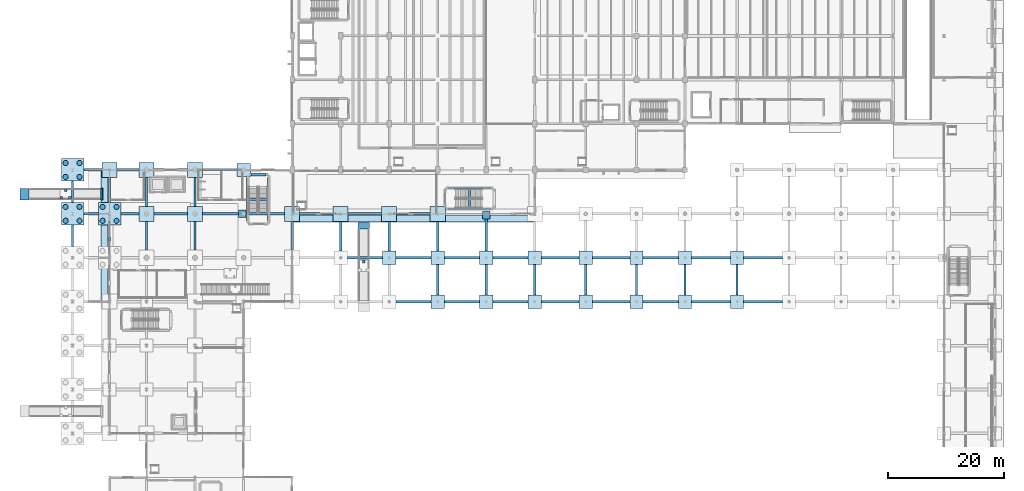
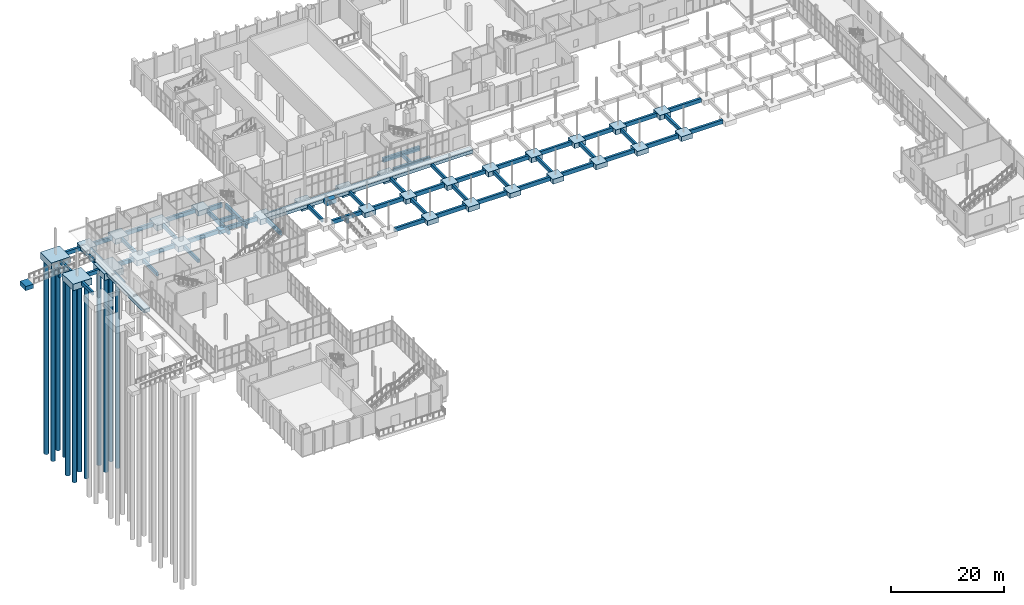
# One storey, part 2 of 95: 95 footings, 12 piles.
"""IFC4 building model written with IfcOpenShell, lengths in metres."""

from ifc_helpers import new_model, si_unit, direction, frame, origin, origin_2d, place, context, subcontext, project, spatial, polyline, rectangle, circle, outline, extrude, material, material_profile, profile_set, type_object, element, save


model = new_model("IFC4")

# Units and contexts
model_context = context("Model", 3, precision=1e-05, world=origin(), true_north=direction((0.0, 1.0)))
body_context = subcontext(model_context, "Body", "Model", "MODEL_VIEW")
ifc_project = project(units=[si_unit("LENGTHUNIT", "METRE"), si_unit("AREAUNIT", "SQUARE_METRE"), si_unit("VOLUMEUNIT", "CUBIC_METRE"), si_unit("PLANEANGLEUNIT", "RADIAN"), si_unit("MASSUNIT", "GRAM", prefix="KILO")], contexts=[model_context])

# Site, building, storey
site_placement = place(None, origin())
site = spatial("IfcSite", under=ifc_project, at=site_placement, CompositionType="ELEMENT")
building_placement = place(site_placement, origin())
building = spatial("IfcBuilding", under=site, at=building_placement, Name="Shengluoqiao Park Theatre", CompositionType="ELEMENT")
storey_placement = place(building_placement, origin())
storey = spatial("IfcBuildingStorey", under=building, at=storey_placement, Name="L00", CompositionType="ELEMENT", Elevation=0.0)

# Footings
ifc_material = material(Name="Concrete C40", Category="concrete")
footing_type_1 = type_object("IfcFootingType", Name="STR-PAD-1300", PredefinedType="PAD_FOOTING", material=ifc_material)
for number, where, z_axis, x_axis, name in (
    (1, (35.739990234375, 68.39990234375, -1.10009765625), (0.0, 0.0, 1.0), (1.0, 0.0, 0.0), "Pad Footing PF-025"),
    (2, (78.0, 68.139892578125, -1.10009765625), (0.0, 0.0, 1.0), (1.0, 0.0, 0.0), "Pad Footing PF-041"),
):
    element("IfcFooting", number, at=place(storey_placement, frame(where, z_axis=z_axis, x_axis=x_axis)), inside=storey, type_object=footing_type_1, Name=name, PredefinedType="PAD_FOOTING", context=body_context, shape_type="SweptSolid", body=[
        extrude(rectangle(XDim=1.300048828125, YDim=1.300048828125, at=origin_2d()), origin(), (0.0, 0.0, 1.0), 0.800048828125),
    ])
footing_type_2 = type_object("IfcFootingType", Name="STR-PAD-1750", PredefinedType="PAD_FOOTING", material=ifc_material)
for number, where, z_axis, x_axis, name in (
    (3, (4.449951171875, 71.14990234375, -1.5), (0.0, 0.0, 1.0), (1.0, 0.0, 0.0), "RMP-01 Landing Pier 1"),
    (4, (5.949951171875, 71.14990234375, -1.5), (0.0, 0.0, 1.0), (1.0, 0.0, 0.0), "RMP-01 Landing Pier 2"),
    (5, (5.199951171875, 72.449951171875, -1.5), (0.0, 0.0, 1.0), (1.0, 0.0, 0.0), "RMP-01 Landing Pier 3"),
    (6, (56.800048828125, 60.14990234375, -1.5), (0.0, 0.0, 1.0), (1.0, 0.0, 0.0), "RMP-03 Landing Pier 3"),
):
    element("IfcFooting", number, at=place(storey_placement, frame(where, z_axis=z_axis, x_axis=x_axis)), inside=storey, type_object=footing_type_2, Name=name, PredefinedType="PAD_FOOTING", context=body_context, shape_type="SweptSolid", body=[
        extrude(rectangle(XDim=0.449951171875, YDim=0.449951171875, at=origin_2d()), origin(), (0.0, 0.0, 1.0), 0.830078125),
    ])
footing_type_3 = type_object("IfcFootingType", Name="STR-PAD-2300", PredefinedType="PAD_FOOTING", material=ifc_material)
for number, where, z_axis, x_axis, name in (
    (7, (36.0, 76.0, -1.35009765625), (0.0, 0.0, 1.0), (1.0, 0.0, 0.0), "Pad Footing PF-026"),
    (8, (61.199951171875, 60.800048828125, -1.35009765625), (0.0, 0.0, 1.0), (1.0, 0.0, 0.0), "Pad Footing PF-034"),
    (9, (69.60009765625, 53.199951171875, -1.35009765625), (0.0, 0.0, 1.0), (1.0, 0.0, 0.0), "Pad Footing PF-036"),
    (10, (69.60009765625, 60.800048828125, -1.35009765625), (0.0, 0.0, 1.0), (1.0, 0.0, 0.0), "Pad Footing PF-037"),
    (11, (78.0, 53.199951171875, -1.35009765625), (0.0, 0.0, 1.0), (1.0, 0.0, 0.0), "Pad Footing PF-039"),
    (12, (78.0, 60.800048828125, -1.35009765625), (0.0, 0.0, 1.0), (1.0, 0.0, 0.0), "Pad Footing PF-040"),
    (13, (86.39990234375, 53.199951171875, -1.35009765625), (0.0, 0.0, 1.0), (1.0, 0.0, 0.0), "Pad Footing PF-042"),
    (14, (86.39990234375, 60.800048828125, -1.35009765625), (0.0, 0.0, 1.0), (1.0, 0.0, 0.0), "Pad Footing PF-043"),
    (15, (95.199951171875, 53.199951171875, -1.35009765625), (0.0, 0.0, 1.0), (1.0, 0.0, 0.0), "Pad Footing PF-045"),
    (16, (95.199951171875, 60.800048828125, -1.35009765625), (0.0, 0.0, 1.0), (1.0, 0.0, 0.0), "Pad Footing PF-046"),
    (17, (104.0, 53.199951171875, -1.35009765625), (0.0, 0.0, 1.0), (1.0, 0.0, 0.0), "Pad Footing PF-048"),
    (18, (104.0, 60.800048828125, -1.35009765625), (0.0, 0.0, 1.0), (1.0, 0.0, 0.0), "Pad Footing PF-049"),
    (19, (112.39990234375, 53.199951171875, -1.35009765625), (0.0, 0.0, 1.0), (1.0, 0.0, 0.0), "Pad Footing PF-051"),
    (20, (112.39990234375, 60.800048828125, -1.35009765625), (0.0, 0.0, 1.0), (1.0, 0.0, 0.0), "Pad Footing PF-052"),
    (21, (121.39990234375, 53.199951171875, -1.35009765625), (0.0, 0.0, 1.0), (1.0, 0.0, 0.0), "Pad Footing PF-054"),
    (22, (121.39990234375, 60.800048828125, -1.35009765625), (0.0, 0.0, 1.0), (1.0, 0.0, 0.0), "Pad Footing PF-055"),
):
    element("IfcFooting", number, at=place(storey_placement, frame(where, z_axis=z_axis, x_axis=x_axis)), inside=storey, type_object=footing_type_3, Name=name, PredefinedType="PAD_FOOTING", context=body_context, shape_type="SweptSolid", body=[
        extrude(rectangle(XDim=2.300048828125, YDim=2.300048828125, at=origin_2d()), origin(), (0.0, 0.0, 1.0), 1.050048828125),
    ])
footing_type_4 = type_object("IfcFootingType", Name="STR-PAD-2600", PredefinedType="PAD_FOOTING", material=ifc_material)
for number, where, z_axis, x_axis, name in (
    (23, (12.800048828125, 76.0, -1.449951171875), (0.0, 0.0, 1.0), (1.0, 0.0, 0.0), "Pad Footing PF-005"),
    (24, (19.199951171875, 68.39990234375, -1.449951171875), (0.0, 0.0, 1.0), (1.0, 0.0, 0.0), "Pad Footing PF-011"),
    (25, (19.199951171875, 76.0, -1.449951171875), (0.0, 0.0, 1.0), (1.0, 0.0, 0.0), "Pad Footing PF-012"),
    (26, (27.60009765625, 68.39990234375, -1.449951171875), (0.0, 0.0, 1.0), (1.0, 0.0, 0.0), "Pad Footing PF-018"),
    (27, (27.60009765625, 76.0, -1.449951171875), (0.0, 0.0, 1.0), (1.0, 0.0, 0.0), "Pad Footing PF-019"),
    (28, (44.39990234375, 68.39990234375, -1.449951171875), (0.0, 0.0, 1.0), (1.0, 0.0, 0.0), "Pad Footing PF-029"),
    (29, (52.800048828125, 68.39990234375, -1.449951171875), (0.0, 0.0, 1.0), (1.0, 0.0, 0.0), "Pad Footing PF-032"),
    (30, (61.199951171875, 68.39990234375, -1.449951171875), (0.0, 0.0, 1.0), (1.0, 0.0, 0.0), "Pad Footing PF-035"),
    (31, (69.60009765625, 68.39990234375, -1.449951171875), (0.0, 0.0, 1.0), (1.0, 0.0, 0.0), "Pad Footing PF-038"),
):
    element("IfcFooting", number, at=place(storey_placement, frame(where, z_axis=z_axis, x_axis=x_axis)), inside=storey, type_object=footing_type_4, Name=name, PredefinedType="PAD_FOOTING", context=body_context, shape_type="SweptSolid", body=[
        extrude(rectangle(XDim=2.60009765625, YDim=2.60009765625, at=origin_2d()), origin(), (0.0, 0.0, 1.0), 1.14990234375),
    ])
footing_type_5 = type_object("IfcFootingType", Name="STR-PC4-3900", PredefinedType="PILE_CAP", material=ifc_material)
for number, where, z_axis, x_axis, name in (
    (32, (6.39990234375, 68.39990234375, -1.699951171875), (0.0, 0.0, 1.0), (1.0, 0.0, 0.0), "Pile Cap PC4-022"),
    (33, (6.39990234375, 76.0, -1.699951171875), (0.0, 0.0, 1.0), (1.0, 0.0, 0.0), "Pile Cap PC4-023"),
    (34, (12.800048828125, 68.39990234375, -1.699951171875), (0.0, 0.0, 1.0), (1.0, 0.0, 0.0), "Pile Cap PC4-025"),
):
    element("IfcFooting", number, at=place(storey_placement, frame(where, z_axis=z_axis, x_axis=x_axis)), inside=storey, type_object=footing_type_5, Name=name, PredefinedType="PILE_CAP", context=body_context, shape_type="SweptSolid", body=[
        extrude(rectangle(XDim=3.89990234375, YDim=3.89990234375, at=origin_2d()), origin(), (0.0, 0.0, 1.0), 1.39990234375),
    ])

# Piles
ifc_material_profile_1 = material_profile(ifc_material, circle(Radius=0.449951171875, at=origin_2d()), Name="BORED PILE D900")
ifc_profile_set_1 = profile_set([ifc_material_profile_1], Name="Concrete C40")
pile_type = type_object("IfcPileType", Name="STR-PILE-D900", PredefinedType="BORED", material=ifc_profile_set_1)
for number, where, z_axis, x_axis, name in (
    (35, (5.199951171875, 67.199951171875, -1.60009765625), (0.0, 0.0, -1.0), (1.0, 0.0, 0.0), "Bored Pile P-085"),
    (36, (7.60009765625, 67.199951171875, -1.60009765625), (0.0, 0.0, -1.0), (1.0, 0.0, 0.0), "Bored Pile P-086"),
    (37, (7.60009765625, 69.60009765625, -1.60009765625), (0.0, 0.0, -1.0), (1.0, 0.0, 0.0), "Bored Pile P-087"),
    (38, (5.199951171875, 69.60009765625, -1.60009765625), (0.0, 0.0, -1.0), (1.0, 0.0, 0.0), "Bored Pile P-088"),
    (39, (5.199951171875, 74.800048828125, -1.60009765625), (0.0, 0.0, -1.0), (1.0, 0.0, 0.0), "Bored Pile P-089"),
    (40, (7.60009765625, 74.800048828125, -1.60009765625), (0.0, 0.0, -1.0), (1.0, 0.0, 0.0), "Bored Pile P-090"),
    (41, (7.60009765625, 77.199951171875, -1.60009765625), (0.0, 0.0, -1.0), (1.0, 0.0, 0.0), "Bored Pile P-091"),
    (42, (5.199951171875, 77.199951171875, -1.60009765625), (0.0, 0.0, -1.0), (1.0, 0.0, 0.0), "Bored Pile P-092"),
    (43, (11.60009765625, 67.199951171875, -1.60009765625), (0.0, 0.0, -1.0), (1.0, 0.0, 0.0), "Bored Pile P-097"),
    (44, (14.0, 67.199951171875, -1.60009765625), (0.0, 0.0, -1.0), (1.0, 0.0, 0.0), "Bored Pile P-098"),
    (45, (14.0, 69.60009765625, -1.60009765625), (0.0, 0.0, -1.0), (1.0, 0.0, 0.0), "Bored Pile P-099"),
    (46, (11.60009765625, 69.60009765625, -1.60009765625), (0.0, 0.0, -1.0), (1.0, 0.0, 0.0), "Bored Pile P-100"),
):
    element("IfcPile", number, at=place(storey_placement, frame(where, z_axis=z_axis, x_axis=x_axis)), inside=storey, type_object=pile_type, Name=name, PredefinedType="BORED", context=body_context, shape_type="SweptSolid", body=[
        extrude(circle(Radius=0.449951171875, at=origin_2d()), origin(), (0.0, 0.0, 1.0), 41.89990234375),
    ])

# Footings
footing_type_6 = type_object("IfcFootingType", Name="STR-SF-1100", PredefinedType="STRIP_FOOTING", material=ifc_material)
footing_1_placement = place(storey_placement, frame((0.0, 0.0, -1.25)))
element("IfcFooting", 47, at=footing_1_placement, inside=storey, type_object=footing_type_6, Name="Core Strip Footing SF-02", PredefinedType="STRIP_FOOTING", context=body_context, shape_type="SweptSolid", body=[
    extrude(outline(polyline([(37.25, 74.9599609375), (39.85009765625, 74.9599609375), (39.85009765625, 75.3798828125), (37.25, 75.3798828125), (37.25, 74.9599609375)])), origin(), (0.0, 0.0, 1.0), 0.949951171875),
])
footing_2_placement = place(storey_placement, frame((0.0, 0.0, -1.25)))
element("IfcFooting", 48, at=footing_2_placement, inside=storey, type_object=footing_type_6, Name="Core Strip Footing SF-03", PredefinedType="STRIP_FOOTING", context=body_context, shape_type="SweptSolid", body=[
    extrude(outline(polyline([(36.52001953125, 67.14990234375), (36.93994140625, 67.14990234375), (36.93994140625, 74.64990234375), (36.52001953125, 74.64990234375), (36.52001953125, 67.14990234375)])), origin(), (0.0, 0.0, 1.0), 0.949951171875),
])
footing_3_placement = place(storey_placement, frame((0.0, 0.0, -1.25)))
element("IfcFooting", 49, at=footing_3_placement, inside=storey, type_object=footing_type_6, Name="Core Strip Footing SF-04", PredefinedType="STRIP_FOOTING", context=body_context, shape_type="SweptSolid", body=[
    extrude(outline(polyline([(71.35009765625, 69.02001953125), (78.85009765625, 69.02001953125), (78.85009765625, 69.43994140625), (71.35009765625, 69.43994140625), (71.35009765625, 69.02001953125)])), origin(), (0.0, 0.0, 1.0), 0.949951171875),
])
footing_4_placement = place(storey_placement, frame((0.0, 0.0, -1.25)))
element("IfcFooting", 50, at=footing_4_placement, inside=storey, type_object=footing_type_6, Name="Core Strip Footing SF-06", PredefinedType="STRIP_FOOTING", context=body_context, shape_type="SweptSolid", body=[
    extrude(outline(polyline([(71.35009765625, 72.659912109375), (78.85009765625, 72.659912109375), (78.85009765625, 73.080078125), (71.35009765625, 73.080078125), (71.35009765625, 72.659912109375)])), origin(), (0.0, 0.0, 1.0), 0.949951171875),
])
footing_5_placement = place(storey_placement, frame((0.0, 0.0, -0.919921875)))
element("IfcFooting", 51, at=footing_5_placement, inside=storey, type_object=footing_type_6, Name="Apron Strip Footing APR-WEST-FOY", PredefinedType="STRIP_FOOTING", context=body_context, shape_type="SweptSolid", body=[
    extrude(outline(polyline([(11.35009765625, 53.25), (12.570068359375, 53.25), (12.570068359375, 75.949951171875), (11.35009765625, 75.949951171875), (11.35009765625, 53.25)])), origin(), (0.0, 0.0, 1.0), 0.699951171875),
])
footing_6_placement = place(storey_placement, frame((0.0, 0.0, -0.919921875)))
element("IfcFooting", 52, at=footing_6_placement, inside=storey, type_object=footing_type_6, Name="Apron Strip Footing APR-STH-PROM", PredefinedType="STRIP_FOOTING", context=body_context, shape_type="SweptSolid", body=[
    extrude(outline(polyline([(44.449951171875, 66.949951171875), (86.35009765625, 66.949951171875), (86.35009765625, 68.169921875), (44.449951171875, 68.169921875), (44.449951171875, 66.949951171875)])), origin(), (0.0, 0.0, 1.0), 0.699951171875),
])
footing_7_placement = place(storey_placement, frame((0.0, 0.0, -1.800048828125)))
element("IfcFooting", 53, at=footing_7_placement, inside=storey, type_object=footing_type_6, Name="RMP-01 Lower Approach Footing", PredefinedType="STRIP_FOOTING", context=body_context, shape_type="SweptSolid", body=[
    extrude(outline(polyline([(-2.699951171875, 70.800048828125), (-1.10009765625, 70.800048828125), (-1.10009765625, 72.800048828125), (-2.699951171875, 72.800048828125), (-2.699951171875, 70.800048828125)])), origin(), (0.0, 0.0, 1.0), 0.900146484375),
])
footing_8_placement = place(storey_placement, frame((0.0, 0.0, -1.0)))
element("IfcFooting", 54, at=footing_8_placement, inside=storey, type_object=footing_type_6, Name="RMP-01 Upper Arrival Pier", PredefinedType="STRIP_FOOTING", context=body_context, shape_type="SweptSolid", body=[
    extrude(outline(polyline([(11.590087890625, 70.800048828125), (11.2900390625, 70.800048828125), (11.2900390625, 72.800048828125), (11.590087890625, 72.800048828125), (11.590087890625, 70.800048828125)])), origin(), (0.0, 0.0, 1.0), 1.0),
])
footing_9_placement = place(storey_placement, frame((0.0, 0.0, -1.0)))
element("IfcFooting", 55, at=footing_9_placement, inside=storey, type_object=footing_type_6, Name="RMP-03 Upper Arrival Pier", PredefinedType="STRIP_FOOTING", context=body_context, shape_type="SweptSolid", body=[
    extrude(outline(polyline([(55.800048828125, 65.7900390625), (57.800048828125, 65.7900390625), (57.800048828125, 66.889892578125), (55.800048828125, 66.889892578125), (55.800048828125, 65.7900390625)])), origin(), (0.0, 0.0, 1.0), 1.0),
])
footing_type_7 = type_object("IfcFootingType", Name="STR-SF-1400", PredefinedType="STRIP_FOOTING", material=ifc_material)
footing_10_placement = place(storey_placement, frame((0.0, 0.0, -1.25)))
element("IfcFooting", 56, at=footing_10_placement, inside=storey, type_object=footing_type_7, Name="Core Strip Footing SF-01", PredefinedType="STRIP_FOOTING", context=body_context, shape_type="SweptSolid", body=[
    extrude(outline(polyline([(40.159912109375, 67.14990234375), (40.580078125, 67.14990234375), (40.580078125, 74.64990234375), (40.159912109375, 74.64990234375), (40.159912109375, 67.14990234375)])), origin(), (0.0, 0.0, 1.0), 0.949951171875),
])
ifc_material_profile_2 = material_profile(ifc_material, rectangle(XDim=0.39990234375, YDim=0.75, at=origin_2d()), Name="RC TIE 400x750")
ifc_profile_set_2 = profile_set([ifc_material_profile_2], Name="Concrete C40")
footing_type_8 = type_object("IfcFootingType", Name="STR-TB-400x750", PredefinedType="FOOTING_BEAM", material=ifc_profile_set_2)
for number, where, z_axis, x_axis, name in (
    (57, (6.39990234375, 62.75, -0.675048828125), (0.0, 1.0, 0.0), (-1.0, 0.0, 0.0), "Foundation Tie Beam TB-Y091"),
    (58, (6.39990234375, 70.35009765625, -0.675048828125), (0.0, 1.0, 0.0), (-1.0, 0.0, 0.0), "Foundation Tie Beam TB-Y092"),
    (59, (12.800048828125, 62.75, -0.675048828125), (0.0, 1.0, 0.0), (-1.0, 0.0, 0.0), "Foundation Tie Beam TB-Y097"),
):
    element("IfcFooting", number, at=place(storey_placement, frame(where, z_axis=z_axis, x_axis=x_axis)), inside=storey, type_object=footing_type_8, Name=name, PredefinedType="FOOTING_BEAM", context=body_context, shape_type="SweptSolid", body=[
        extrude(rectangle(XDim=0.39990234375, YDim=0.75, at=origin_2d()), origin(), (0.0, 0.0, 1.0), 3.699951171875),
    ])
footing_11_placement = place(storey_placement, frame((12.800048828125, 70.35009765625, -0.675048828125), z_axis=(0.0, 1.0, 0.0), x_axis=(-1.0, 0.0, 0.0)))
element("IfcFooting", 60, at=footing_11_placement, inside=storey, type_object=footing_type_8, Name="Foundation Tie Beam TB-Y098", PredefinedType="FOOTING_BEAM", context=body_context, shape_type="SweptSolid", body=[
    extrude(rectangle(XDim=0.39990234375, YDim=0.75, at=origin_2d()), origin(), (0.0, 0.0, 1.0), 4.349853515625),
])
for number, where, z_axis, x_axis, name in (
    (61, (19.199951171875, 62.10009765625, -0.675048828125), (0.0, 1.0, 0.0), (-1.0, 0.0, 0.0), "Foundation Tie Beam TB-Y103"),
    (62, (19.199951171875, 69.699951171875, -0.675048828125), (0.0, 1.0, 0.0), (-1.0, 0.0, 0.0), "Foundation Tie Beam TB-Y104"),
    (63, (27.60009765625, 62.10009765625, -0.675048828125), (0.0, 1.0, 0.0), (-1.0, 0.0, 0.0), "Foundation Tie Beam TB-Y109"),
    (64, (27.60009765625, 69.699951171875, -0.675048828125), (0.0, 1.0, 0.0), (-1.0, 0.0, 0.0), "Foundation Tie Beam TB-Y110"),
    (65, (44.39990234375, 62.10009765625, -0.675048828125), (0.0, 1.0, 0.0), (-1.0, 0.0, 0.0), "Foundation Tie Beam TB-Y116"),
):
    element("IfcFooting", number, at=place(storey_placement, frame(where, z_axis=z_axis, x_axis=x_axis)), inside=storey, type_object=footing_type_8, Name=name, PredefinedType="FOOTING_BEAM", context=body_context, shape_type="SweptSolid", body=[
        extrude(rectangle(XDim=0.39990234375, YDim=0.75, at=origin_2d()), origin(), (0.0, 0.0, 1.0), 5.0),
    ])
for number, where, z_axis, x_axis, name in (
    (66, (52.800048828125, 61.949951171875, -0.675048828125), (0.0, 1.0, 0.0), (-1.0, 0.0, 0.0), "Foundation Tie Beam TB-Y118"),
    (67, (61.199951171875, 61.949951171875, -0.675048828125), (0.0, 1.0, 0.0), (-1.0, 0.0, 0.0), "Foundation Tie Beam TB-Y120"),
):
    element("IfcFooting", number, at=place(storey_placement, frame(where, z_axis=z_axis, x_axis=x_axis)), inside=storey, type_object=footing_type_8, Name=name, PredefinedType="FOOTING_BEAM", context=body_context, shape_type="SweptSolid", body=[
        extrude(rectangle(XDim=0.39990234375, YDim=0.75, at=origin_2d()), origin(), (0.0, 0.0, 1.0), 5.150146484375),
    ])
footing_12_placement = place(storey_placement, frame((69.60009765625, 54.35009765625, -0.675048828125), z_axis=(0.0, 1.0, 0.0), x_axis=(-1.0, 0.0, 0.0)))
element("IfcFooting", 68, at=footing_12_placement, inside=storey, type_object=footing_type_8, Name="Foundation Tie Beam TB-Y121", PredefinedType="FOOTING_BEAM", context=body_context, shape_type="SweptSolid", body=[
    extrude(rectangle(XDim=0.39990234375, YDim=0.75, at=origin_2d()), origin(), (0.0, 0.0, 1.0), 5.2998046875),
])
footing_13_placement = place(storey_placement, frame((69.60009765625, 61.949951171875, -0.675048828125), z_axis=(0.0, 1.0, 0.0), x_axis=(-1.0, 0.0, 0.0)))
element("IfcFooting", 69, at=footing_13_placement, inside=storey, type_object=footing_type_8, Name="Foundation Tie Beam TB-Y122", PredefinedType="FOOTING_BEAM", context=body_context, shape_type="SweptSolid", body=[
    extrude(rectangle(XDim=0.39990234375, YDim=0.75, at=origin_2d()), origin(), (0.0, 0.0, 1.0), 5.150146484375),
])
footing_14_placement = place(storey_placement, frame((78.0, 54.35009765625, -0.675048828125), z_axis=(0.0, 1.0, 0.0), x_axis=(-1.0, 0.0, 0.0)))
element("IfcFooting", 70, at=footing_14_placement, inside=storey, type_object=footing_type_8, Name="Foundation Tie Beam TB-Y123", PredefinedType="FOOTING_BEAM", context=body_context, shape_type="SweptSolid", body=[
    extrude(rectangle(XDim=0.39990234375, YDim=0.75, at=origin_2d()), origin(), (0.0, 0.0, 1.0), 5.2998046875),
])
footing_15_placement = place(storey_placement, frame((78.0, 61.949951171875, -0.675048828125), z_axis=(0.0, 1.0, 0.0), x_axis=(-1.0, 0.0, 0.0)))
element("IfcFooting", 71, at=footing_15_placement, inside=storey, type_object=footing_type_8, Name="Foundation Tie Beam TB-Y124", PredefinedType="FOOTING_BEAM", context=body_context, shape_type="SweptSolid", body=[
    extrude(rectangle(XDim=0.39990234375, YDim=0.75, at=origin_2d()), origin(), (0.0, 0.0, 1.0), 5.5400390625),
])
for number, where, z_axis, x_axis, name in (
    (72, (86.39990234375, 54.35009765625, -0.675048828125), (0.0, 1.0, 0.0), (-1.0, 0.0, 0.0), "Foundation Tie Beam TB-Y125"),
    (73, (95.199951171875, 54.35009765625, -0.675048828125), (0.0, 1.0, 0.0), (-1.0, 0.0, 0.0), "Foundation Tie Beam TB-Y127"),
    (74, (104.0, 54.35009765625, -0.675048828125), (0.0, 1.0, 0.0), (-1.0, 0.0, 0.0), "Foundation Tie Beam TB-Y129"),
    (75, (112.39990234375, 54.35009765625, -0.675048828125), (0.0, 1.0, 0.0), (-1.0, 0.0, 0.0), "Foundation Tie Beam TB-Y131"),
    (76, (121.39990234375, 54.35009765625, -0.675048828125), (0.0, 1.0, 0.0), (-1.0, 0.0, 0.0), "Foundation Tie Beam TB-Y133"),
):
    element("IfcFooting", number, at=place(storey_placement, frame(where, z_axis=z_axis, x_axis=x_axis)), inside=storey, type_object=footing_type_8, Name=name, PredefinedType="FOOTING_BEAM", context=body_context, shape_type="SweptSolid", body=[
        extrude(rectangle(XDim=0.39990234375, YDim=0.75, at=origin_2d()), origin(), (0.0, 0.0, 1.0), 5.2998046875),
    ])
footing_16_placement = place(storey_placement, frame((75.10009765625, 69.43994140625, -0.675048828125), z_axis=(0.0, 1.0, 0.0), x_axis=(-1.0, 0.0, 0.0)))
element("IfcFooting", 77, at=footing_16_placement, inside=storey, type_object=footing_type_8, Name="Foundation Tie Beam TB-Y168", PredefinedType="FOOTING_BEAM", context=body_context, shape_type="SweptSolid", body=[
    extrude(rectangle(XDim=0.39990234375, YDim=0.75, at=origin_2d()), origin(), (0.0, 0.0, 1.0), 3.219970703125),
])
ifc_material_profile_3 = material_profile(ifc_material, rectangle(XDim=0.449951171875, YDim=0.85009765625, at=origin_2d()), Name="RC TIE 450x850")
ifc_profile_set_3 = profile_set([ifc_material_profile_3], Name="Concrete C40")
footing_type_9 = type_object("IfcFootingType", Name="STR-TB-450x850", PredefinedType="FOOTING_BEAM", material=ifc_profile_set_3)
footing_17_placement = place(storey_placement, frame((62.35009765625, 53.199951171875, -0.72509765625), z_axis=(1.0, 0.0, 0.0), x_axis=(0.0, 1.0, 0.0)))
element("IfcFooting", 78, at=footing_17_placement, inside=storey, type_object=footing_type_9, Name="Foundation Tie Beam TB-X028", PredefinedType="FOOTING_BEAM", context=body_context, shape_type="SweptSolid", body=[
    extrude(rectangle(XDim=0.449951171875, YDim=0.85009765625, at=origin_2d()), origin(), (0.0, 0.0, 1.0), 6.099853515625),
])
for number, where, z_axis, x_axis, name in (
    (79, (70.75, 53.199951171875, -0.72509765625), (1.0, 0.0, 0.0), (0.0, 1.0, 0.0), "Foundation Tie Beam TB-X029"),
    (80, (79.14990234375, 53.199951171875, -0.72509765625), (1.0, 0.0, 0.0), (0.0, 1.0, 0.0), "Foundation Tie Beam TB-X030"),
):
    element("IfcFooting", number, at=place(storey_placement, frame(where, z_axis=z_axis, x_axis=x_axis)), inside=storey, type_object=footing_type_9, Name=name, PredefinedType="FOOTING_BEAM", context=body_context, shape_type="SweptSolid", body=[
        extrude(rectangle(XDim=0.449951171875, YDim=0.85009765625, at=origin_2d()), origin(), (0.0, 0.0, 1.0), 6.10009765625),
    ])
for number, where, z_axis, x_axis, name in (
    (81, (87.550048828125, 53.199951171875, -0.72509765625), (1.0, 0.0, 0.0), (0.0, 1.0, 0.0), "Foundation Tie Beam TB-X031"),
    (82, (96.35009765625, 53.199951171875, -0.72509765625), (1.0, 0.0, 0.0), (0.0, 1.0, 0.0), "Foundation Tie Beam TB-X032"),
):
    element("IfcFooting", number, at=place(storey_placement, frame(where, z_axis=z_axis, x_axis=x_axis)), inside=storey, type_object=footing_type_9, Name=name, PredefinedType="FOOTING_BEAM", context=body_context, shape_type="SweptSolid", body=[
        extrude(rectangle(XDim=0.449951171875, YDim=0.85009765625, at=origin_2d()), origin(), (0.0, 0.0, 1.0), 6.5),
    ])
footing_18_placement = place(storey_placement, frame((105.14990234375, 53.199951171875, -0.72509765625), z_axis=(1.0, 0.0, 0.0), x_axis=(0.0, 1.0, 0.0)))
element("IfcFooting", 83, at=footing_18_placement, inside=storey, type_object=footing_type_9, Name="Foundation Tie Beam TB-X033", PredefinedType="FOOTING_BEAM", context=body_context, shape_type="SweptSolid", body=[
    extrude(rectangle(XDim=0.449951171875, YDim=0.85009765625, at=origin_2d()), origin(), (0.0, 0.0, 1.0), 6.10009765625),
])
for number, where, z_axis, x_axis, name in (
    (84, (113.550048828125, 53.199951171875, -0.72509765625), (1.0, 0.0, 0.0), (0.0, 1.0, 0.0), "Foundation Tie Beam TB-X034"),
    (85, (122.550048828125, 53.199951171875, -0.72509765625), (1.0, 0.0, 0.0), (0.0, 1.0, 0.0), "Foundation Tie Beam TB-X035"),
):
    element("IfcFooting", number, at=place(storey_placement, frame(where, z_axis=z_axis, x_axis=x_axis)), inside=storey, type_object=footing_type_9, Name=name, PredefinedType="FOOTING_BEAM", context=body_context, shape_type="SweptSolid", body=[
        extrude(rectangle(XDim=0.449951171875, YDim=0.85009765625, at=origin_2d()), origin(), (0.0, 0.0, 1.0), 6.699951171875),
    ])
footing_19_placement = place(storey_placement, frame((53.949951171875, 60.800048828125, -0.72509765625), z_axis=(1.0, 0.0, 0.0), x_axis=(0.0, 1.0, 0.0)))
element("IfcFooting", 86, at=footing_19_placement, inside=storey, type_object=footing_type_9, Name="Foundation Tie Beam TB-X046", PredefinedType="FOOTING_BEAM", context=body_context, shape_type="SweptSolid", body=[
    extrude(rectangle(XDim=0.449951171875, YDim=0.85009765625, at=origin_2d()), origin(), (0.0, 0.0, 1.0), 6.10009765625),
])
footing_20_placement = place(storey_placement, frame((62.35009765625, 60.800048828125, -0.72509765625), z_axis=(1.0, 0.0, 0.0), x_axis=(0.0, 1.0, 0.0)))
element("IfcFooting", 87, at=footing_20_placement, inside=storey, type_object=footing_type_9, Name="Foundation Tie Beam TB-X047", PredefinedType="FOOTING_BEAM", context=body_context, shape_type="SweptSolid", body=[
    extrude(rectangle(XDim=0.449951171875, YDim=0.85009765625, at=origin_2d()), origin(), (0.0, 0.0, 1.0), 6.099853515625),
])
for number, where, z_axis, x_axis, name in (
    (88, (70.75, 60.800048828125, -0.72509765625), (1.0, 0.0, 0.0), (0.0, 1.0, 0.0), "Foundation Tie Beam TB-X048"),
    (89, (79.14990234375, 60.800048828125, -0.72509765625), (1.0, 0.0, 0.0), (0.0, 1.0, 0.0), "Foundation Tie Beam TB-X049"),
):
    element("IfcFooting", number, at=place(storey_placement, frame(where, z_axis=z_axis, x_axis=x_axis)), inside=storey, type_object=footing_type_9, Name=name, PredefinedType="FOOTING_BEAM", context=body_context, shape_type="SweptSolid", body=[
        extrude(rectangle(XDim=0.449951171875, YDim=0.85009765625, at=origin_2d()), origin(), (0.0, 0.0, 1.0), 6.10009765625),
    ])
for number, where, z_axis, x_axis, name in (
    (90, (87.550048828125, 60.800048828125, -0.72509765625), (1.0, 0.0, 0.0), (0.0, 1.0, 0.0), "Foundation Tie Beam TB-X050"),
    (91, (96.35009765625, 60.800048828125, -0.72509765625), (1.0, 0.0, 0.0), (0.0, 1.0, 0.0), "Foundation Tie Beam TB-X051"),
):
    element("IfcFooting", number, at=place(storey_placement, frame(where, z_axis=z_axis, x_axis=x_axis)), inside=storey, type_object=footing_type_9, Name=name, PredefinedType="FOOTING_BEAM", context=body_context, shape_type="SweptSolid", body=[
        extrude(rectangle(XDim=0.449951171875, YDim=0.85009765625, at=origin_2d()), origin(), (0.0, 0.0, 1.0), 6.5),
    ])
footing_21_placement = place(storey_placement, frame((105.14990234375, 60.800048828125, -0.72509765625), z_axis=(1.0, 0.0, 0.0), x_axis=(0.0, 1.0, 0.0)))
element("IfcFooting", 92, at=footing_21_placement, inside=storey, type_object=footing_type_9, Name="Foundation Tie Beam TB-X052", PredefinedType="FOOTING_BEAM", context=body_context, shape_type="SweptSolid", body=[
    extrude(rectangle(XDim=0.449951171875, YDim=0.85009765625, at=origin_2d()), origin(), (0.0, 0.0, 1.0), 6.10009765625),
])
for number, where, z_axis, x_axis, name in (
    (93, (113.550048828125, 60.800048828125, -0.72509765625), (1.0, 0.0, 0.0), (0.0, 1.0, 0.0), "Foundation Tie Beam TB-X053"),
    (94, (122.550048828125, 60.800048828125, -0.72509765625), (1.0, 0.0, 0.0), (0.0, 1.0, 0.0), "Foundation Tie Beam TB-X054"),
):
    element("IfcFooting", number, at=place(storey_placement, frame(where, z_axis=z_axis, x_axis=x_axis)), inside=storey, type_object=footing_type_9, Name=name, PredefinedType="FOOTING_BEAM", context=body_context, shape_type="SweptSolid", body=[
        extrude(rectangle(XDim=0.449951171875, YDim=0.85009765625, at=origin_2d()), origin(), (0.0, 0.0, 1.0), 6.699951171875),
    ])
footing_22_placement = place(storey_placement, frame((8.35009765625, 68.39990234375, -0.72509765625), z_axis=(1.0, 0.0, 0.0), x_axis=(0.0, 1.0, 0.0)))
element("IfcFooting", 95, at=footing_22_placement, inside=storey, type_object=footing_type_9, Name="Foundation Tie Beam TB-X059", PredefinedType="FOOTING_BEAM", context=body_context, shape_type="SweptSolid", body=[
    extrude(rectangle(XDim=0.449951171875, YDim=0.85009765625, at=origin_2d()), origin(), (0.0, 0.0, 1.0), 2.5),
])
footing_23_placement = place(storey_placement, frame((14.75, 68.39990234375, -0.72509765625), z_axis=(1.0, 0.0, 0.0), x_axis=(0.0, 1.0, 0.0)))
element("IfcFooting", 96, at=footing_23_placement, inside=storey, type_object=footing_type_9, Name="Foundation Tie Beam TB-X060", PredefinedType="FOOTING_BEAM", context=body_context, shape_type="SweptSolid", body=[
    extrude(rectangle(XDim=0.449951171875, YDim=0.85009765625, at=origin_2d()), origin(), (0.0, 0.0, 1.0), 3.14990234375),
])
footing_24_placement = place(storey_placement, frame((20.5, 68.39990234375, -0.72509765625), z_axis=(1.0, 0.0, 0.0), x_axis=(0.0, 1.0, 0.0)))
element("IfcFooting", 97, at=footing_24_placement, inside=storey, type_object=footing_type_9, Name="Foundation Tie Beam TB-X061", PredefinedType="FOOTING_BEAM", context=body_context, shape_type="SweptSolid", body=[
    extrude(rectangle(XDim=0.449951171875, YDim=0.85009765625, at=origin_2d()), origin(), (0.0, 0.0, 1.0), 5.800048828125),
])
footing_25_placement = place(storey_placement, frame((28.89990234375, 68.39990234375, -0.72509765625), z_axis=(1.0, 0.0, 0.0), x_axis=(0.0, 1.0, 0.0)))
element("IfcFooting", 98, at=footing_25_placement, inside=storey, type_object=footing_type_9, Name="Foundation Tie Beam TB-X062", PredefinedType="FOOTING_BEAM", context=body_context, shape_type="SweptSolid", body=[
    extrude(rectangle(XDim=0.449951171875, YDim=0.85009765625, at=origin_2d()), origin(), (0.0, 0.0, 1.0), 6.190185546875),
])
footing_26_placement = place(storey_placement, frame((36.389892578125, 68.39990234375, -0.72509765625), z_axis=(1.0, 0.0, 0.0), x_axis=(0.0, 1.0, 0.0)))
element("IfcFooting", 99, at=footing_26_placement, inside=storey, type_object=footing_type_9, Name="Foundation Tie Beam TB-X063", PredefinedType="FOOTING_BEAM", context=body_context, shape_type="SweptSolid", body=[
    extrude(rectangle(XDim=0.449951171875, YDim=0.85009765625, at=origin_2d()), origin(), (0.0, 0.0, 1.0), 6.710205078125),
])
footing_27_placement = place(storey_placement, frame((45.699951171875, 68.39990234375, -0.72509765625), z_axis=(1.0, 0.0, 0.0), x_axis=(0.0, 1.0, 0.0)))
element("IfcFooting", 100, at=footing_27_placement, inside=storey, type_object=footing_type_9, Name="Foundation Tie Beam TB-X064", PredefinedType="FOOTING_BEAM", context=body_context, shape_type="SweptSolid", body=[
    extrude(rectangle(XDim=0.449951171875, YDim=0.85009765625, at=origin_2d()), origin(), (0.0, 0.0, 1.0), 5.800048828125),
])
footing_28_placement = place(storey_placement, frame((54.10009765625, 68.39990234375, -0.72509765625), z_axis=(1.0, 0.0, 0.0), x_axis=(0.0, 1.0, 0.0)))
element("IfcFooting", 101, at=footing_28_placement, inside=storey, type_object=footing_type_9, Name="Foundation Tie Beam TB-X065", PredefinedType="FOOTING_BEAM", context=body_context, shape_type="SweptSolid", body=[
    extrude(rectangle(XDim=0.449951171875, YDim=0.85009765625, at=origin_2d()), origin(), (0.0, 0.0, 1.0), 5.7998046875),
])
footing_29_placement = place(storey_placement, frame((62.5, 68.39990234375, -0.72509765625), z_axis=(1.0, 0.0, 0.0), x_axis=(0.0, 1.0, 0.0)))
element("IfcFooting", 102, at=footing_29_placement, inside=storey, type_object=footing_type_9, Name="Foundation Tie Beam TB-X066", PredefinedType="FOOTING_BEAM", context=body_context, shape_type="SweptSolid", body=[
    extrude(rectangle(XDim=0.449951171875, YDim=0.85009765625, at=origin_2d()), origin(), (0.0, 0.0, 1.0), 5.800048828125),
])
footing_30_placement = place(storey_placement, frame((8.35009765625, 76.0, -0.72509765625), z_axis=(1.0, 0.0, 0.0), x_axis=(0.0, 1.0, 0.0)))
element("IfcFooting", 103, at=footing_30_placement, inside=storey, type_object=footing_type_9, Name="Foundation Tie Beam TB-X076", PredefinedType="FOOTING_BEAM", context=body_context, shape_type="SweptSolid", body=[
    extrude(rectangle(XDim=0.449951171875, YDim=0.85009765625, at=origin_2d()), origin(), (0.0, 0.0, 1.0), 3.14990234375),
])
footing_31_placement = place(storey_placement, frame((14.10009765625, 76.0, -0.72509765625), z_axis=(1.0, 0.0, 0.0), x_axis=(0.0, 1.0, 0.0)))
element("IfcFooting", 104, at=footing_31_placement, inside=storey, type_object=footing_type_9, Name="Foundation Tie Beam TB-X077", PredefinedType="FOOTING_BEAM", context=body_context, shape_type="SweptSolid", body=[
    extrude(rectangle(XDim=0.449951171875, YDim=0.85009765625, at=origin_2d()), origin(), (0.0, 0.0, 1.0), 3.7998046875),
])
footing_32_placement = place(storey_placement, frame((20.5, 76.0, -0.72509765625), z_axis=(1.0, 0.0, 0.0), x_axis=(0.0, 1.0, 0.0)))
element("IfcFooting", 105, at=footing_32_placement, inside=storey, type_object=footing_type_9, Name="Foundation Tie Beam TB-X078", PredefinedType="FOOTING_BEAM", context=body_context, shape_type="SweptSolid", body=[
    extrude(rectangle(XDim=0.449951171875, YDim=0.85009765625, at=origin_2d()), origin(), (0.0, 0.0, 1.0), 5.800048828125),
])
footing_33_placement = place(storey_placement, frame((28.89990234375, 76.0, -0.72509765625), z_axis=(1.0, 0.0, 0.0), x_axis=(0.0, 1.0, 0.0)))
element("IfcFooting", 106, at=footing_33_placement, inside=storey, type_object=footing_type_9, Name="Foundation Tie Beam TB-X079", PredefinedType="FOOTING_BEAM", context=body_context, shape_type="SweptSolid", body=[
    extrude(rectangle(XDim=0.449951171875, YDim=0.85009765625, at=origin_2d()), origin(), (0.0, 0.0, 1.0), 5.9501953125),
])
footing_34_placement = place(storey_placement, frame((36.93994140625, 70.89990234375, -0.72509765625), z_axis=(1.0, 0.0, 0.0), x_axis=(0.0, 1.0, 0.0)))
element("IfcFooting", 107, at=footing_34_placement, inside=storey, type_object=footing_type_9, Name="Foundation Tie Beam TB-X086", PredefinedType="FOOTING_BEAM", context=body_context, shape_type="SweptSolid", body=[
    extrude(rectangle(XDim=0.449951171875, YDim=0.85009765625, at=origin_2d()), origin(), (0.0, 0.0, 1.0), 3.219970703125),
])

save(model, "model.ifc")
